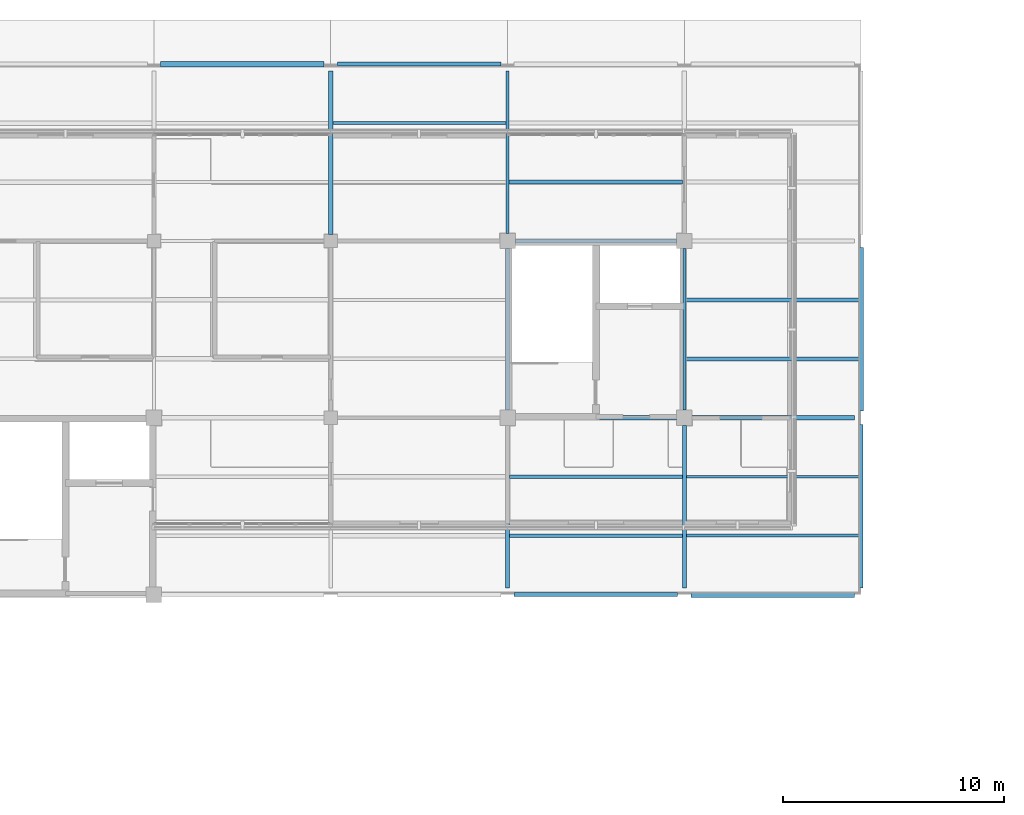
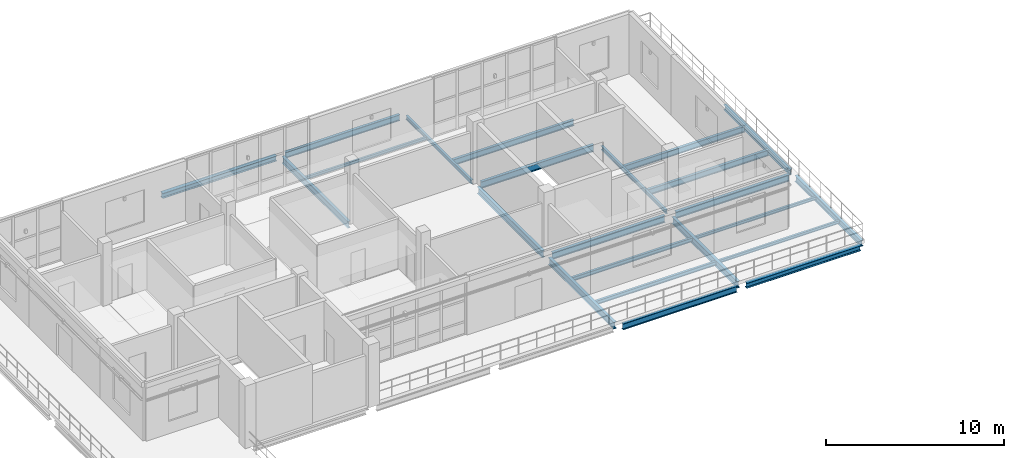
# One storey, part 5 of 24: 23 beams.
"""IFC4 building model written with IfcOpenShell, lengths in metres."""

from ifc_helpers import new_model, si_unit, derived_unit, direction, frame, origin, origin_2d, place, context, subcontext, project, spatial, i_section, extrude, material, material_profile, profile_set, type_object, element, save


model = new_model("IFC4")

# Units and contexts
model_context = context("Model", 3, precision=1e-05, world=origin(), true_north=direction((0.0, 1.0)))
body_context = subcontext(model_context, "Body", "Model", "MODEL_VIEW")
ifc_project = project(units=[si_unit("LENGTHUNIT", "METRE"), si_unit("AREAUNIT", "SQUARE_METRE"), si_unit("VOLUMEUNIT", "CUBIC_METRE"), si_unit("PLANEANGLEUNIT", "RADIAN"), si_unit("MASSUNIT", "GRAM", prefix="KILO"), derived_unit("THERMALTRANSMITTANCEUNIT", [(si_unit("MASSUNIT", "GRAM", prefix="KILO"), 1), (si_unit("TIMEUNIT", "SECOND"), -3), (si_unit("THERMODYNAMICTEMPERATUREUNIT", "KELVIN"), -1)])], contexts=[model_context])

# Site, building, storey
site_placement = place(None, origin())
site = spatial("IfcSite", under=ifc_project, at=site_placement, CompositionType="ELEMENT")
building_placement = place(site_placement, origin())
building = spatial("IfcBuilding", under=site, at=building_placement, Name="Veyamyaing Civic Hall", CompositionType="ELEMENT")
storey_placement = place(building_placement, frame((0.0, 0.0, 25.739990234375)))
storey = spatial("IfcBuildingStorey", under=building, at=storey_placement, Name="L06", CompositionType="ELEMENT", Elevation=25.739990234375)

# Beams
ifc_material = material(Name="Steel ASTM A992", Category="steel")
ifc_material_profile_1 = material_profile(ifc_material, i_section(OverallWidth=0.19189453125, OverallDepth=0.462890625, WebThickness=0.010498046875, FlangeThickness=0.017578125, FilletRadius=0.010009765625, at=origin_2d()), Name="W460X89")
ifc_profile_set_1 = profile_set([ifc_material_profile_1], Name="Steel ASTM A992")
beam_type_1 = type_object("IfcBeamType", Name="B-08", PredefinedType="BEAM", material=ifc_profile_set_1)
beam_1_placement = place(storey_placement, frame((32.35009765625, 96.0, -0.45654296875), z_axis=(1.0, 0.0, 0.0), x_axis=(0.0, 1.0, 0.0)))
element("IfcBeam", 1, at=beam_1_placement, inside=storey, type_object=beam_type_1, Name="Girder B-08 L06 Grid N 5-6", PredefinedType="BEAM", context=body_context, shape_type="SweptSolid", body=[
    extrude(i_section(OverallWidth=0.19189453125, OverallDepth=0.462890625, WebThickness=0.010498046875, FlangeThickness=0.017578125, FilletRadius=0.010009765625, at=origin_2d()), origin(), (0.0, 0.0, 1.0), 7.2998046875),
])
beam_2_placement = place(storey_placement, frame((32.0, 88.300048828125, -0.46142578125), z_axis=(0.0, 1.0, 0.0), x_axis=(-1.0, 0.0, 0.0)))
element("IfcBeam", 2, at=beam_2_placement, inside=storey, type_object=beam_type_1, Name="Girder B-08 L06 Grid 5 M-N", PredefinedType="BEAM", context=body_context, shape_type="SweptSolid", body=[
    extrude(i_section(OverallWidth=0.19189453125, OverallDepth=0.462890625, WebThickness=0.010498046875, FlangeThickness=0.017578125, FilletRadius=0.010009765625, at=origin_2d()), origin(), (0.0, 0.0, 1.0), 7.349853515625),
])
ifc_material_profile_2 = material_profile(ifc_material, i_section(OverallWidth=0.18994140625, OverallDepth=0.45703125, WebThickness=0.009033203125, FlangeThickness=0.014404296875, FilletRadius=0.010009765625, at=origin_2d()), Name="W460X74")
ifc_profile_set_2 = profile_set([ifc_material_profile_2], Name="Steel ASTM A992")
beam_type_2 = type_object("IfcBeamType", Name="B-09", PredefinedType="BEAM", material=ifc_profile_set_2)
beam_3_placement = place(storey_placement, frame((40.35009765625, 96.0, -0.45849609375), z_axis=(1.0, 0.0, 0.0), x_axis=(0.0, 1.0, 0.0)))
element("IfcBeam", 3, at=beam_3_placement, inside=storey, type_object=beam_type_2, Name="Girder B-09 L06 Grid N 6-7", PredefinedType="BEAM", context=body_context, shape_type="SweptSolid", body=[
    extrude(i_section(OverallWidth=0.18994140625, OverallDepth=0.45703125, WebThickness=0.009033203125, FlangeThickness=0.014404296875, FilletRadius=0.010009765625, at=origin_2d()), origin(), (0.0, 0.0, 1.0), 7.349853515625),
])
beam_4_placement = place(storey_placement, frame((32.35009765625, 104.0, -0.453369140625), z_axis=(1.0, 0.0, 0.0), x_axis=(0.0, 1.0, 0.0)))
element("IfcBeam", 4, at=beam_4_placement, inside=storey, type_object=beam_type_2, Name="Girder B-09 L06 Grid P 5-6", PredefinedType="BEAM", context=body_context, shape_type="SweptSolid", body=[
    extrude(i_section(OverallWidth=0.18994140625, OverallDepth=0.45703125, WebThickness=0.009033203125, FlangeThickness=0.014404296875, FilletRadius=0.010009765625, at=origin_2d()), origin(), (0.0, 0.0, 1.0), 7.2998046875),
])
beam_5_placement = place(storey_placement, frame((24.0, 104.300048828125, -0.45849609375), z_axis=(0.0, 1.0, 0.0), x_axis=(-1.0, 0.0, 0.0)))
element("IfcBeam", 5, at=beam_5_placement, inside=storey, type_object=beam_type_2, Name="Girder B-09 L06 Grid 4 P-Q", PredefinedType="BEAM", context=body_context, shape_type="SweptSolid", body=[
    extrude(i_section(OverallWidth=0.18994140625, OverallDepth=0.45703125, WebThickness=0.009033203125, FlangeThickness=0.014404296875, FilletRadius=0.010009765625, at=origin_2d()), origin(), (0.0, 0.0, 1.0), 7.39990234375),
])
beam_6_placement = place(storey_placement, frame((32.0, 96.35009765625, -0.453369140625), z_axis=(0.0, 1.0, 0.0), x_axis=(-1.0, 0.0, 0.0)))
element("IfcBeam", 6, at=beam_6_placement, inside=storey, type_object=beam_type_2, Name="Girder B-09 L06 Grid 5 N-P", PredefinedType="BEAM", context=body_context, shape_type="SweptSolid", body=[
    extrude(i_section(OverallWidth=0.18994140625, OverallDepth=0.45703125, WebThickness=0.009033203125, FlangeThickness=0.014404296875, FilletRadius=0.010009765625, at=origin_2d()), origin(), (0.0, 0.0, 1.0), 7.2998046875),
])
beam_7_placement = place(storey_placement, frame((40.0, 88.300048828125, -0.45849609375), z_axis=(0.0, 1.0, 0.0), x_axis=(-1.0, 0.0, 0.0)))
element("IfcBeam", 7, at=beam_7_placement, inside=storey, type_object=beam_type_2, Name="Girder B-09 L06 Grid 6 M-N", PredefinedType="BEAM", context=body_context, shape_type="SweptSolid", body=[
    extrude(i_section(OverallWidth=0.18994140625, OverallDepth=0.45703125, WebThickness=0.009033203125, FlangeThickness=0.014404296875, FilletRadius=0.010009765625, at=origin_2d()), origin(), (0.0, 0.0, 1.0), 7.349853515625),
])
ifc_material_profile_3 = material_profile(ifc_material, i_section(OverallWidth=0.179931640625, OverallDepth=0.4130859375, WebThickness=0.009765625, FlangeThickness=0.01611328125, FilletRadius=0.010009765625, at=origin_2d()), Name="W410X74")
ifc_profile_set_3 = profile_set([ifc_material_profile_3], Name="Steel ASTM A992")
beam_type_3 = type_object("IfcBeamType", Name="B-10", PredefinedType="SPANDREL", material=ifc_profile_set_3)
for number, where, z_axis, x_axis, name in (
    (8, (24.300048828125, 112.0, -0.4365234375), (1.0, 0.0, 0.0), (0.0, 1.0, 0.0), "Girder B-10 L06 Grid Q 4-5"),
    (9, (48.0, 88.300048828125, -0.4365234375), (0.0, 1.0, 0.0), (-1.0, 0.0, 0.0), "Girder B-10 L06 Grid 7 M-N"),
):
    element("IfcBeam", number, at=place(storey_placement, frame(where, z_axis=z_axis, x_axis=x_axis)), inside=storey, type_object=beam_type_3, Name=name, PredefinedType="SPANDREL", context=body_context, shape_type="SweptSolid", body=[
        extrude(i_section(OverallWidth=0.179931640625, OverallDepth=0.4130859375, WebThickness=0.009765625, FlangeThickness=0.01611328125, FilletRadius=0.010009765625, at=origin_2d()), origin(), (0.0, 0.0, 1.0), 7.39990234375),
    ])
ifc_material_profile_4 = material_profile(ifc_material, i_section(OverallWidth=0.2041015625, OverallDepth=0.35009765625, WebThickness=0.0078125, FlangeThickness=0.01513671875, FilletRadius=0.010009765625, at=origin_2d()), Name="W360X72")
ifc_profile_set_4 = profile_set([ifc_material_profile_4], Name="Steel ASTM A992")
beam_type_4 = type_object("IfcBeamType", Name="B-11", PredefinedType="SPANDREL", material=ifc_profile_set_4)
beam_8_placement = place(storey_placement, frame((48.0, 96.300048828125, -0.405029296875), z_axis=(0.0, 1.0, 0.0), x_axis=(-1.0, 0.0, 0.0)))
element("IfcBeam", 10, at=beam_8_placement, inside=storey, type_object=beam_type_4, Name="Girder B-11 L06 Grid 7 N-P", PredefinedType="SPANDREL", context=body_context, shape_type="SweptSolid", body=[
    extrude(i_section(OverallWidth=0.2041015625, OverallDepth=0.35009765625, WebThickness=0.0078125, FlangeThickness=0.01513671875, FilletRadius=0.010009765625, at=origin_2d()), origin(), (0.0, 0.0, 1.0), 7.39990234375),
])
ifc_material_profile_5 = material_profile(ifc_material, i_section(OverallWidth=0.14599609375, OverallDepth=0.258056640625, WebThickness=0.006103515625, FlangeThickness=0.009033203125, FilletRadius=0.010009765625, at=origin_2d()), Name="W250X33")
ifc_profile_set_5 = profile_set([ifc_material_profile_5], Name="Steel ASTM A992")
beam_type_5 = type_object("IfcBeamType", Name="B-12", PredefinedType="BEAM", material=ifc_profile_set_5)
beam_9_placement = place(storey_placement, frame((32.0, 104.35009765625, -0.35888671875), z_axis=(0.0, 1.0, 0.0), x_axis=(-1.0, 0.0, 0.0)))
element("IfcBeam", 11, at=beam_9_placement, inside=storey, type_object=beam_type_5, Name="Girder B-12 L06 Grid 5 P-Q", PredefinedType="BEAM", context=body_context, shape_type="SweptSolid", body=[
    extrude(i_section(OverallWidth=0.14599609375, OverallDepth=0.258056640625, WebThickness=0.006103515625, FlangeThickness=0.009033203125, FilletRadius=0.010009765625, at=origin_2d()), origin(), (0.0, 0.0, 1.0), 7.349853515625),
])
beam_10_placement = place(storey_placement, frame((40.0, 96.35009765625, -0.35400390625), z_axis=(0.0, 1.0, 0.0), x_axis=(-1.0, 0.0, 0.0)))
element("IfcBeam", 12, at=beam_10_placement, inside=storey, type_object=beam_type_5, Name="Girder B-12 L06 Grid 6 N-P", PredefinedType="BEAM", context=body_context, shape_type="SweptSolid", body=[
    extrude(i_section(OverallWidth=0.14599609375, OverallDepth=0.258056640625, WebThickness=0.006103515625, FlangeThickness=0.009033203125, FilletRadius=0.010009765625, at=origin_2d()), origin(), (0.0, 0.0, 1.0), 7.2998046875),
])
ifc_material_profile_6 = material_profile(ifc_material, i_section(OverallWidth=0.180908203125, OverallDepth=0.4169921875, WebThickness=0.010986328125, FlangeThickness=0.018310546875, FilletRadius=0.010009765625, at=origin_2d()), Name="W410X85")
ifc_profile_set_6 = profile_set([ifc_material_profile_6], Name="Steel ASTM A992")
beam_type_6 = type_object("IfcBeamType", Name="B-19", PredefinedType="SPANDREL", material=ifc_profile_set_6)
beam_11_placement = place(storey_placement, frame((32.300048828125, 88.0, -0.4384765625), z_axis=(1.0, 0.0, 0.0), x_axis=(0.0, 1.0, 0.0)))
element("IfcBeam", 13, at=beam_11_placement, inside=storey, type_object=beam_type_6, Name="Girder B-19 L06 Grid M 5-6", PredefinedType="SPANDREL", context=body_context, shape_type="SweptSolid", body=[
    extrude(i_section(OverallWidth=0.180908203125, OverallDepth=0.4169921875, WebThickness=0.010986328125, FlangeThickness=0.018310546875, FilletRadius=0.010009765625, at=origin_2d()), origin(), (0.0, 0.0, 1.0), 7.39990234375),
])
ifc_material_profile_7 = material_profile(ifc_material, i_section(OverallWidth=0.25390625, OverallDepth=0.35302734375, WebThickness=0.009521484375, FlangeThickness=0.016357421875, FilletRadius=0.011962890625, at=origin_2d()), Name="W360X91")
ifc_profile_set_7 = profile_set([ifc_material_profile_7], Name="Steel ASTM A992")
beam_type_7 = type_object("IfcBeamType", Name="B-20", PredefinedType="SPANDREL", material=ifc_profile_set_7)
for number, where, z_axis, x_axis, name in (
    (14, (40.300048828125, 88.0, -0.406494140625), (1.0, 0.0, 0.0), (0.0, 1.0, 0.0), "Girder B-20 L06 Grid M 6-7"),
    (15, (16.300048828125, 112.0, -0.406494140625), (1.0, 0.0, 0.0), (0.0, 1.0, 0.0), "Girder B-20 L06 Grid Q 3-4"),
):
    element("IfcBeam", number, at=place(storey_placement, frame(where, z_axis=z_axis, x_axis=x_axis)), inside=storey, type_object=beam_type_7, Name=name, PredefinedType="SPANDREL", context=body_context, shape_type="SweptSolid", body=[
        extrude(i_section(OverallWidth=0.25390625, OverallDepth=0.35302734375, WebThickness=0.009521484375, FlangeThickness=0.016357421875, FilletRadius=0.011962890625, at=origin_2d()), origin(), (0.0, 0.0, 1.0), 7.39990234375),
    ])
ifc_material_profile_8 = material_profile(ifc_material, i_section(OverallWidth=0.177978515625, OverallDepth=0.406982421875, WebThickness=0.0078125, FlangeThickness=0.0126953125, FilletRadius=0.010009765625, at=origin_2d()), Name="W410X60")
ifc_profile_set_8 = profile_set([ifc_material_profile_8], Name="Steel ASTM A992")
beam_type_8 = type_object("IfcBeamType", Name="J-01", PredefinedType="JOIST", material=ifc_profile_set_8)
beam_12_placement = place(storey_placement, frame((32.071044921875, 106.666748046875, -0.43359375), z_axis=(1.0, 0.0, 0.0), x_axis=(0.0, 1.0, 0.0)))
element("IfcBeam", 16, at=beam_12_placement, inside=storey, type_object=beam_type_8, Name="Composite floor joist J-01 L06 5.14.1", PredefinedType="JOIST", context=body_context, shape_type="SweptSolid", body=[
    extrude(i_section(OverallWidth=0.177978515625, OverallDepth=0.406982421875, WebThickness=0.0078125, FlangeThickness=0.0126953125, FilletRadius=0.010009765625, at=origin_2d()), origin(), (0.0, 0.0, 1.0), 7.8349609375),
])
for number, where, z_axis, x_axis, name in (
    (17, (40.071044921875, 98.666748046875, -0.43359375), (1.0, 0.0, 0.0), (0.0, 1.0, 0.0), "Composite floor joist J-01 L06 6.13.1"),
    (18, (40.071044921875, 101.333251953125, -0.43359375), (1.0, 0.0, 0.0), (0.0, 1.0, 0.0), "Composite floor joist J-01 L06 6.13.2"),
):
    element("IfcBeam", number, at=place(storey_placement, frame(where, z_axis=z_axis, x_axis=x_axis)), inside=storey, type_object=beam_type_8, Name=name, PredefinedType="JOIST", context=body_context, shape_type="SweptSolid", body=[
        extrude(i_section(OverallWidth=0.177978515625, OverallDepth=0.406982421875, WebThickness=0.0078125, FlangeThickness=0.0126953125, FilletRadius=0.010009765625, at=origin_2d()), origin(), (0.0, 0.0, 1.0), 7.828857421875),
    ])
ifc_material_profile_9 = material_profile(ifc_material, i_section(OverallWidth=0.14794921875, OverallDepth=0.26611328125, WebThickness=0.007568359375, FlangeThickness=0.012939453125, FilletRadius=0.010009765625, at=origin_2d()), Name="W250X45")
ifc_profile_set_9 = profile_set([ifc_material_profile_9], Name="Steel ASTM A992")
beam_type_9 = type_object("IfcBeamType", Name="J-07", PredefinedType="JOIST", material=ifc_profile_set_9)
for number, where, z_axis, x_axis, name in (
    (19, (32.093994140625, 90.666748046875, -0.363037109375), (1.0, 0.0, 0.0), (0.0, 1.0, 0.0), "Composite floor joist J-07 L06 5.12.1"),
    (20, (32.093994140625, 93.333251953125, -0.363037109375), (1.0, 0.0, 0.0), (0.0, 1.0, 0.0), "Composite floor joist J-07 L06 5.12.2"),
):
    element("IfcBeam", number, at=place(storey_placement, frame(where, z_axis=z_axis, x_axis=x_axis)), inside=storey, type_object=beam_type_9, Name=name, PredefinedType="JOIST", context=body_context, shape_type="SweptSolid", body=[
        extrude(i_section(OverallWidth=0.14794921875, OverallDepth=0.26611328125, WebThickness=0.007568359375, FlangeThickness=0.012939453125, FilletRadius=0.010009765625, at=origin_2d()), origin(), (0.0, 0.0, 1.0), 7.81298828125),
    ])
ifc_material_profile_10 = material_profile(ifc_material, i_section(OverallWidth=0.133056640625, OverallDepth=0.20703125, WebThickness=0.005859375, FlangeThickness=0.00830078125, FilletRadius=0.010009765625, at=origin_2d()), Name="W200X27")
ifc_profile_set_10 = profile_set([ifc_material_profile_10], Name="Steel ASTM A992")
beam_type_10 = type_object("IfcBeamType", Name="J-08", PredefinedType="JOIST", material=ifc_profile_set_10)
beam_13_placement = place(storey_placement, frame((24.093017578125, 109.333251953125, -0.33349609375), z_axis=(1.0, 0.0, 0.0), x_axis=(0.0, 1.0, 0.0)))
element("IfcBeam", 21, at=beam_13_placement, inside=storey, type_object=beam_type_10, Name="Composite floor joist J-08 L06 4.14.2", PredefinedType="JOIST", context=body_context, shape_type="SweptSolid", body=[
    extrude(i_section(OverallWidth=0.133056640625, OverallDepth=0.20703125, WebThickness=0.005859375, FlangeThickness=0.00830078125, FilletRadius=0.010009765625, at=origin_2d()), origin(), (0.0, 0.0, 1.0), 7.8359375),
])
for number, where, z_axis, x_axis, name in (
    (22, (40.093017578125, 90.666748046875, -0.33349609375), (1.0, 0.0, 0.0), (0.0, 1.0, 0.0), "Composite floor joist J-08 L06 6.12.1"),
    (23, (40.093017578125, 93.333251953125, -0.33349609375), (1.0, 0.0, 0.0), (0.0, 1.0, 0.0), "Composite floor joist J-08 L06 6.12.2"),
):
    element("IfcBeam", number, at=place(storey_placement, frame(where, z_axis=z_axis, x_axis=x_axis)), inside=storey, type_object=beam_type_10, Name=name, PredefinedType="JOIST", context=body_context, shape_type="SweptSolid", body=[
        extrude(i_section(OverallWidth=0.133056640625, OverallDepth=0.20703125, WebThickness=0.005859375, FlangeThickness=0.00830078125, FilletRadius=0.010009765625, at=origin_2d()), origin(), (0.0, 0.0, 1.0), 7.819091796875),
    ])

save(model, "model.ifc")
